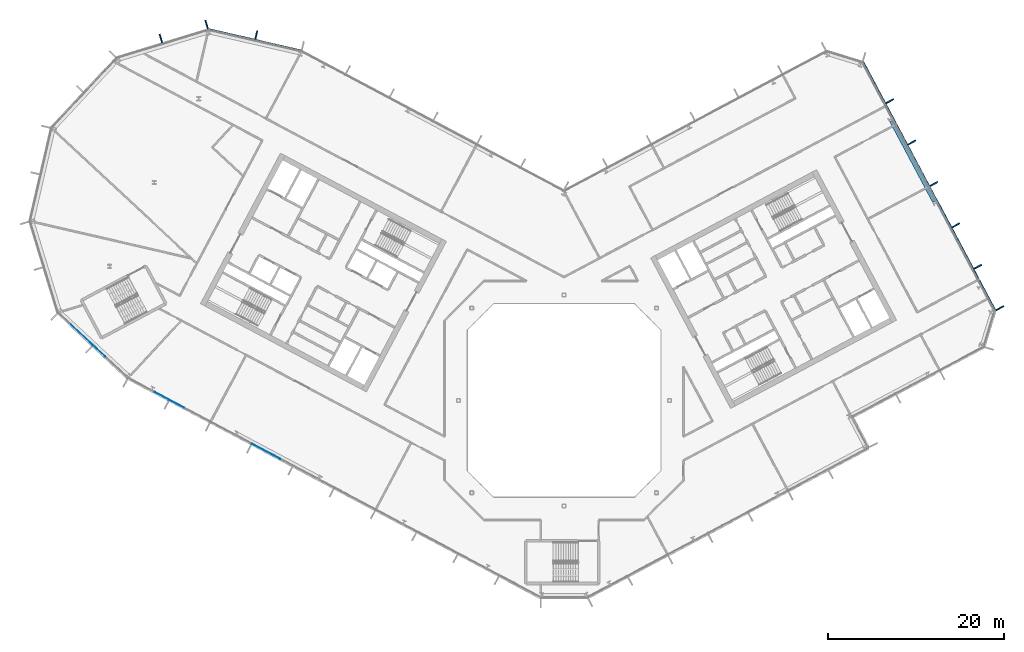
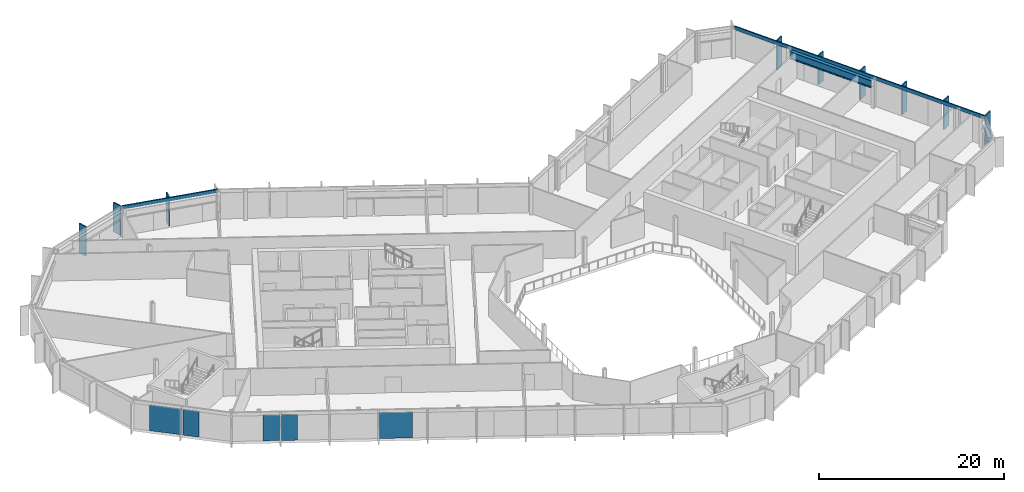
# One storey, part 10 of 26: 11 members, 5 plates, 1 beam, 5 elements without a shape of their own.
"""IFC4 building model written with IfcOpenShell, lengths in metres."""

from ifc_helpers import new_model, si_unit, direction, frame, origin, origin_2d, place, context, subcontext, project, spatial, rectangle, i_section, extrude, material, layer, layer_set, material_profile, profile_set, type_object, element, aggregate, save


model = new_model("IFC4")

# Units and contexts
model_context = context("Model", 3, precision=1e-05, world=origin(), true_north=direction((0.0, 1.0)))
body_context = subcontext(model_context, "Body", "Model", "MODEL_VIEW")
ifc_project = project(units=[si_unit("LENGTHUNIT", "METRE"), si_unit("AREAUNIT", "SQUARE_METRE"), si_unit("VOLUMEUNIT", "CUBIC_METRE"), si_unit("PLANEANGLEUNIT", "RADIAN"), si_unit("MASSUNIT", "GRAM", prefix="KILO")], contexts=[model_context])

# Site, building, storey
site_placement = place(None, origin())
site = spatial("IfcSite", under=ifc_project, at=site_placement, CompositionType="ELEMENT")
building_placement = place(site_placement, origin())
building = spatial("IfcBuilding", under=site, at=building_placement, Name="Cormorant Relay Tower", CompositionType="ELEMENT")
storey_placement = place(building_placement, frame((0.0, 0.0, 236.39990234375)))
storey = spatial("IfcBuildingStorey", under=building, at=storey_placement, Name="L52", CompositionType="ELEMENT", Elevation=236.39990234375)

# Curtain wall, members
ifc_material_1 = material(Name="Aluminium 6063-T6 anodised bronze", Category="aluminium")
ifc_layer_1 = layer(ifc_material_1, 0.199951171875)
ifc_layer_set_1 = layer_set([ifc_layer_1], Name="CW1 unitised bronze curtain wall with vertical fins")
curtain_wall_type = type_object("IfcCurtainWallType", Name="CW1 unitised bronze curtain wall with vertical fins", PredefinedType="NOTDEFINED", material=ifc_layer_set_1)
curtain_wall_1_placement = place(storey_placement, origin())
curtain_wall_1 = element("IfcCurtainWall", 1, at=curtain_wall_1_placement, inside=storey, type_object=curtain_wall_type, Name="CW1 curtain wall 6", PredefinedType="NOTDEFINED")
ifc_material_2 = material(Name="Aluminium 6063-T6 anodised bronze", Category="aluminium")
ifc_material_profile_1 = material_profile(ifc_material_2, rectangle(XDim=0.14990234375, YDim=1.0, at=origin_2d()), Name="AL 150x1000")
ifc_profile_set_1 = profile_set([ifc_material_profile_1], Name="Aluminium 6063-T6 anodised bronze")
member_type_1 = type_object("IfcMemberType", Name="CW1 bronze fin mullion 150 x 1000", PredefinedType="MULLION", material=ifc_profile_set_1)
member_1_placement = place(storey_placement, frame((49.572021484375, 10.501953125, 0.0), z_axis=(0.0, 0.0, 1.0), x_axis=(-0.469471562786, 0.882947592859, 0.0)))
member_1 = element("IfcMember", 2, at=member_1_placement, type_object=member_type_1, Name="CW1 fin 6.1", PredefinedType="MULLION", context=body_context, shape_type="SweptSolid", body=[
    extrude(rectangle(XDim=0.14990234375, YDim=1.0, at=origin_2d()), origin(), (0.0, 0.0, 1.0), 3.900146484375),
])
member_2_placement = place(storey_placement, frame((47.068359375, 15.211181640625, 0.0), z_axis=(0.0, 0.0, 1.0), x_axis=(-0.469471562786, 0.882947592859, 0.0)))
member_2 = element("IfcMember", 3, at=member_2_placement, type_object=member_type_1, Name="CW1 fin 6.2", PredefinedType="MULLION", context=body_context, shape_type="SweptSolid", body=[
    extrude(rectangle(XDim=0.14990234375, YDim=1.0, at=origin_2d()), origin(), (0.0, 0.0, 1.0), 3.900146484375),
])
member_3_placement = place(storey_placement, frame((44.564453125, 19.920166015625, 0.0), z_axis=(0.0, 0.0, 1.0), x_axis=(-0.469471562786, 0.882947592859, 0.0)))
member_3 = element("IfcMember", 4, at=member_3_placement, type_object=member_type_1, Name="CW1 fin 6.3", PredefinedType="MULLION", context=body_context, shape_type="SweptSolid", body=[
    extrude(rectangle(XDim=0.14990234375, YDim=1.0, at=origin_2d()), origin(), (0.0, 0.0, 1.0), 3.900146484375),
])
member_4_placement = place(storey_placement, frame((42.060546875, 24.629150390625, 0.0), z_axis=(0.0, 0.0, 1.0), x_axis=(-0.469471562786, 0.882947592859, 0.0)))
member_4 = element("IfcMember", 5, at=member_4_placement, type_object=member_type_1, Name="CW1 fin 6.4", PredefinedType="MULLION", context=body_context, shape_type="SweptSolid", body=[
    extrude(rectangle(XDim=0.14990234375, YDim=1.0, at=origin_2d()), origin(), (0.0, 0.0, 1.0), 3.900146484375),
])
member_5_placement = place(storey_placement, frame((39.556884765625, 29.338134765625, 0.0), z_axis=(0.0, 0.0, 1.0), x_axis=(-0.469471562786, 0.882947592859, 0.0)))
member_5 = element("IfcMember", 6, at=member_5_placement, type_object=member_type_1, Name="CW1 fin 6.5", PredefinedType="MULLION", context=body_context, shape_type="SweptSolid", body=[
    extrude(rectangle(XDim=0.14990234375, YDim=1.0, at=origin_2d()), origin(), (0.0, 0.0, 1.0), 3.900146484375),
])
member_6_placement = place(storey_placement, frame((37.052978515625, 34.04736328125, 0.0), z_axis=(0.0, 0.0, 1.0), x_axis=(-0.469471562786, 0.882947592859, 0.0)))
member_6 = element("IfcMember", 7, at=member_6_placement, type_object=member_type_1, Name="CW1 fin 6.6", PredefinedType="MULLION", context=body_context, shape_type="SweptSolid", body=[
    extrude(rectangle(XDim=0.14990234375, YDim=1.0, at=origin_2d()), origin(), (0.0, 0.0, 1.0), 3.900146484375),
])

# Curtain wall, member
curtain_wall_2_placement = place(storey_placement, origin())
curtain_wall_2 = element("IfcCurtainWall", 8, at=curtain_wall_2_placement, inside=storey, type_object=curtain_wall_type, Name="CW1 curtain wall 10", PredefinedType="NOTDEFINED")
member_7_placement = place(storey_placement, frame((-35.01220703125, 41.57275390625, 0.0), z_axis=(0.0, 0.0, 1.0), x_axis=(-0.974370064785, 0.224951054344, 0.0)))
member_7 = element("IfcMember", 9, at=member_7_placement, type_object=member_type_1, Name="CW1 fin 10.2", PredefinedType="MULLION", context=body_context, shape_type="SweptSolid", body=[
    extrude(rectangle(XDim=0.14990234375, YDim=1.0, at=origin_2d()), origin(), (0.0, 0.0, 1.0), 3.900146484375),
])

# Curtain wall, members
curtain_wall_3_placement = place(storey_placement, origin())
curtain_wall_3 = element("IfcCurtainWall", 10, at=curtain_wall_3_placement, inside=storey, type_object=curtain_wall_type, Name="CW1 curtain wall 11", PredefinedType="NOTDEFINED")
member_8_placement = place(storey_placement, frame((-40.670166015625, 42.78271484375, 0.0), z_axis=(0.0, 0.0, 1.0), x_axis=(-0.956304755963, -0.292371704723, 0.0)))
member_8 = element("IfcMember", 11, at=member_8_placement, type_object=member_type_1, Name="CW1 fin 11.1", PredefinedType="MULLION", context=body_context, shape_type="SweptSolid", body=[
    extrude(rectangle(XDim=0.14990234375, YDim=1.0, at=origin_2d()), origin(), (0.0, 0.0, 1.0), 3.900146484375),
])
member_9_placement = place(storey_placement, frame((-45.867919921875, 41.193603515625, 0.0), z_axis=(0.0, 0.0, 1.0), x_axis=(-0.956304755963, -0.292371704723, 0.0)))
member_9 = element("IfcMember", 12, at=member_9_placement, type_object=member_type_1, Name="CW1 fin 11.2", PredefinedType="MULLION", context=body_context, shape_type="SweptSolid", body=[
    extrude(rectangle(XDim=0.14990234375, YDim=1.0, at=origin_2d()), origin(), (0.0, 0.0, 1.0), 3.900146484375),
])
aggregate(curtain_wall_3, [member_8, member_9])

# Member
ifc_material_3 = material(Name="Aluminium 6063-T6 anodised bronze", Category="aluminium")
ifc_material_profile_2 = material_profile(ifc_material_3, rectangle(XDim=0.159912109375, YDim=0.449951171875, at=origin_2d()), Name="AL 160x450")
ifc_profile_set_2 = profile_set([ifc_material_profile_2], Name="Aluminium 6063-T6 anodised bronze")
member_type_2 = type_object("IfcMemberType", Name="CW1 bronze transom 160 x 450", PredefinedType="USERDEFINED", material=ifc_profile_set_2)
member_10_placement = place(storey_placement, frame((49.06005859375, 10.229736328125, 3.675048828125), z_axis=(-0.46947036835, 0.882948227951, 0.0), x_axis=(-0.882948227951, -0.46947036835, 0.0)))
member_10 = element("IfcMember", 13, at=member_10_placement, type_object=member_type_2, Name="CW1 transom 6", ObjectType="TRANSOM", PredefinedType="USERDEFINED", context=body_context, shape_type="SweptSolid", body=[
    extrude(rectangle(XDim=0.159912109375, YDim=0.449951171875, at=origin_2d()), origin(), (0.0, 0.0, 1.0), 31.999755859375),
])

aggregate(curtain_wall_1, [member_1, member_2, member_3, member_4, member_5, member_6, member_10])

member_11_placement = place(storey_placement, frame((-29.8466796875, 39.784912109375, 3.675048828125), z_axis=(-0.974365070969, 0.224972683844, 0.0), x_axis=(-0.224972683844, -0.974365070969, 0.0)))
member_11 = element("IfcMember", 14, at=member_11_placement, type_object=member_type_2, Name="CW1 transom 10", ObjectType="TRANSOM", PredefinedType="USERDEFINED", context=body_context, shape_type="SweptSolid", body=[
    extrude(rectangle(XDim=0.159912109375, YDim=0.449951171875, at=origin_2d()), origin(), (0.0, 0.0, 1.0), 10.870361328125),
])

aggregate(curtain_wall_2, [member_7, member_11])

# Beam
ifc_material_4 = material(Name="Steel ASTM A992 (Fy 345 MPa)", Category="steel")
ifc_material_profile_3 = material_profile(ifc_material_4, i_section(OverallWidth=0.4013671875, OverallDepth=0.990478515625, WebThickness=0.0166015625, FlangeThickness=0.031005859375, FilletRadius=0.030029296875, at=origin_2d()), Name="W1000x320")
ifc_profile_set_3 = profile_set([ifc_material_profile_3], Name="Steel ASTM A992 (Fy 345 MPa)")
beam_type = type_object("IfcBeamType", Name="Spandrel W1000x320", PredefinedType="SPANDREL", material=ifc_profile_set_3)
beam_placement = place(storey_placement, frame((42.109619140625, 22.61865234375, 3.044677734375), z_axis=(-0.469476269233, 0.882945090381, 0.0), x_axis=(-0.882945090381, -0.469476269233, 0.0)))
element("IfcBeam", 15, at=beam_placement, inside=storey, type_object=beam_type, Name="Spandrel beam L52-006", PredefinedType="SPANDREL", context=body_context, shape_type="SweptSolid", body=[
    extrude(i_section(OverallWidth=0.4013671875, OverallDepth=0.990478515625, WebThickness=0.0166015625, FlangeThickness=0.031005859375, FilletRadius=0.030029296875, at=origin_2d()), origin(), (0.0, 0.0, 1.0), 10.396484375),
])

# Curtain wall, plate
curtain_wall_4_placement = place(storey_placement, origin())
curtain_wall_4 = element("IfcCurtainWall", 16, at=curtain_wall_4_placement, inside=storey, type_object=curtain_wall_type, Name="CW1 curtain wall 15", PredefinedType="NOTDEFINED")
ifc_material_5 = material(Name="Tinted laminated glass", Category="glass")
ifc_layer_2 = layer(ifc_material_5, 0.0400390625)
ifc_layer_set_2 = layer_set([ifc_layer_2], Name="CW1 tinted vision panel 1800 module")
plate_type_1 = type_object("IfcPlateType", Name="CW1 tinted vision panel 1800 module", PredefinedType="CURTAIN_PANEL", material=ifc_layer_set_2)
plate_1_placement = place(storey_placement, frame((-52.8671875, 5.611572265625, 0.0), z_axis=(0.0, 0.0, 1.0), x_axis=(0.731353701619, -0.681998360062, 0.0)))
plate_1 = element("IfcPlate", 17, at=plate_1_placement, type_object=plate_type_1, Name="CW1 panel V02", PredefinedType="CURTAIN_PANEL", context=body_context, shape_type="SweptSolid", body=[
    extrude(rectangle(XDim=1.800048828125, YDim=0.0400390625, at=origin_2d()), origin(), (0.0, 0.0, 1.0), 3.449951171875),
])

# Curtain wall, plates
curtain_wall_5_placement = place(storey_placement, origin())
curtain_wall_5 = element("IfcCurtainWall", 18, at=curtain_wall_5_placement, inside=storey, type_object=curtain_wall_type, Name="CW1 curtain wall 16", PredefinedType="NOTDEFINED")
plate_2_placement = place(storey_placement, frame((-45.767578125, 0.5283203125, 0.0), z_axis=(0.0, 0.0, 1.0), x_axis=(0.882947592859, -0.469471562786, 0.0)))
plate_2 = element("IfcPlate", 19, at=plate_2_placement, type_object=plate_type_1, Name="CW1 panel V01", PredefinedType="CURTAIN_PANEL", context=body_context, shape_type="SweptSolid", body=[
    extrude(rectangle(XDim=1.800048828125, YDim=0.0400390625, at=origin_2d()), origin(), (0.0, 0.0, 1.0), 3.449951171875),
])
plate_3_placement = place(storey_placement, frame((-44.0458984375, -0.38720703125, 0.0), z_axis=(0.0, 0.0, 1.0), x_axis=(0.882947592859, -0.469471562786, 0.0)))
plate_3 = element("IfcPlate", 20, at=plate_3_placement, type_object=plate_type_1, Name="CW1 panel V02", PredefinedType="CURTAIN_PANEL", context=body_context, shape_type="SweptSolid", body=[
    extrude(rectangle(XDim=1.800048828125, YDim=0.0400390625, at=origin_2d()), origin(), (0.0, 0.0, 1.0), 3.449951171875),
])

# Plate
ifc_material_6 = material(Name="Tinted laminated glass", Category="glass")
ifc_layer_3 = layer(ifc_material_6, 0.0400390625)
ifc_layer_set_3 = layer_set([ifc_layer_3], Name="CW1 tinted vision panel 3600 module")
plate_type_2 = type_object("IfcPlateType", Name="CW1 tinted vision panel 3600 module", PredefinedType="CURTAIN_PANEL", material=ifc_layer_set_3)
plate_4_placement = place(storey_placement, frame((-54.951416015625, 7.55517578125, 0.0), z_axis=(0.0, 0.0, 1.0), x_axis=(0.731353701619, -0.681998360062, 0.0)))
plate_4 = element("IfcPlate", 21, at=plate_4_placement, type_object=plate_type_2, Name="CW1 panel V01", PredefinedType="CURTAIN_PANEL", context=body_context, shape_type="SweptSolid", body=[
    extrude(rectangle(XDim=3.60009765625, YDim=0.0400390625, at=origin_2d()), origin(), (0.0, 0.0, 1.0), 3.449951171875),
])

aggregate(curtain_wall_4, [plate_4, plate_1])

plate_5_placement = place(storey_placement, frame((-33.862548828125, -5.801513671875, 0.0), z_axis=(0.0, 0.0, 1.0), x_axis=(0.882947592859, -0.469471562786, 0.0)))
plate_5 = element("IfcPlate", 22, at=plate_5_placement, type_object=plate_type_2, Name="CW1 panel V04", PredefinedType="CURTAIN_PANEL", context=body_context, shape_type="SweptSolid", body=[
    extrude(rectangle(XDim=3.60009765625, YDim=0.0400390625, at=origin_2d()), origin(), (0.0, 0.0, 1.0), 3.449951171875),
])

aggregate(curtain_wall_5, [plate_2, plate_3, plate_5])

save(model, "model.ifc")
